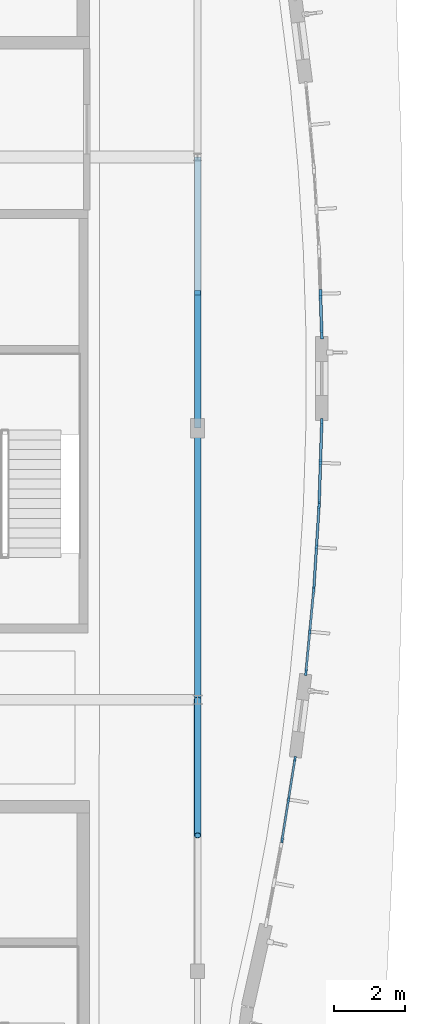
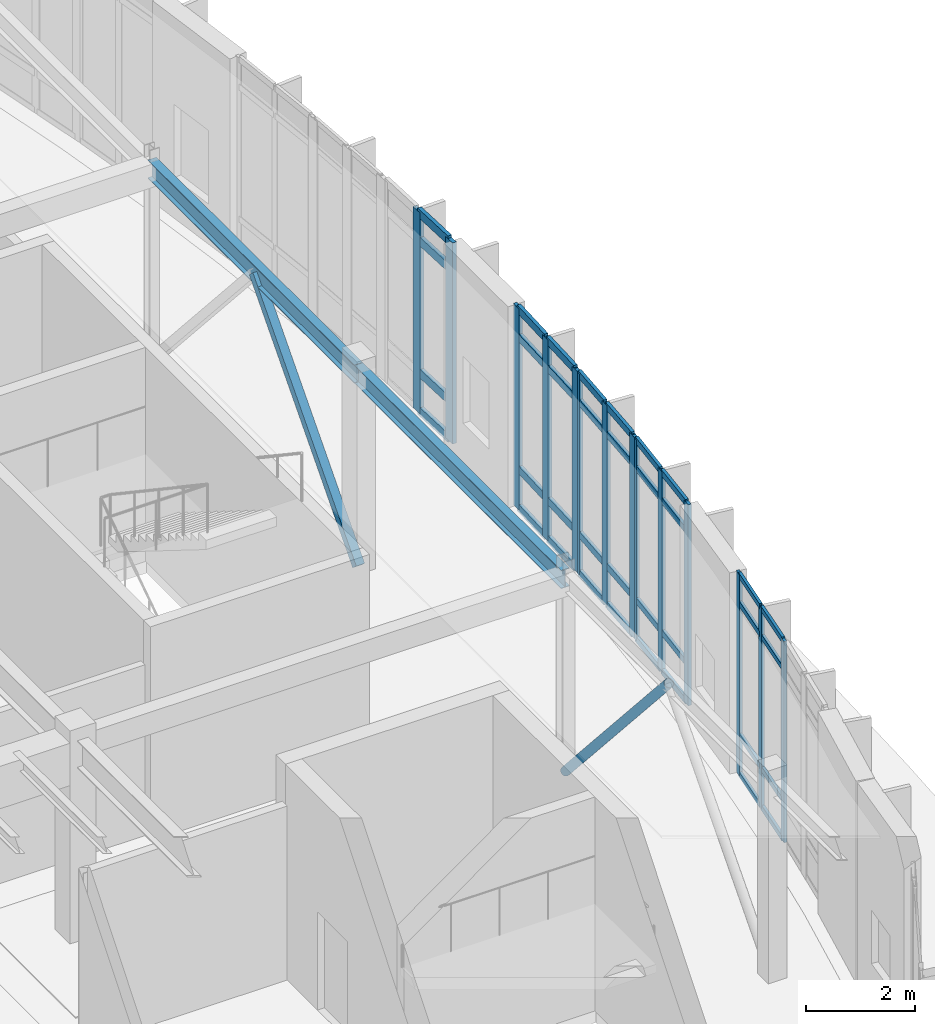
# One storey, part 60 of 120: 52 members, 2 beams, 5 elements without a shape of their own.
"""IFC4 building model written with IfcOpenShell, lengths in metres."""

from ifc_helpers import new_model, si_unit, direction, frame, origin, origin_2d, place, context, subcontext, project, spatial, rectangle, hollow_rectangle, hollow_circle, i_section, extrude, material, material_profile, profile_set, type_object, element, aggregate, save


model = new_model("IFC4")

# Units and contexts
model_context = context("Model", 3, precision=1e-05, world=origin(), true_north=direction((0.0, 1.0)))
body_context = subcontext(model_context, "Body", "Model", "MODEL_VIEW")
ifc_project = project(units=[si_unit("LENGTHUNIT", "METRE"), si_unit("AREAUNIT", "SQUARE_METRE"), si_unit("VOLUMEUNIT", "CUBIC_METRE"), si_unit("PLANEANGLEUNIT", "RADIAN"), si_unit("MASSUNIT", "GRAM", prefix="KILO")], contexts=[model_context])

# Site, building, storey
site_placement = place(None, origin())
site = spatial("IfcSite", under=ifc_project, at=site_placement, CompositionType="ELEMENT")
building_placement = place(site_placement, origin())
building = spatial("IfcBuilding", under=site, at=building_placement, Name="Corveleigh Park Community Centre", CompositionType="ELEMENT")
storey_placement = place(building_placement, origin())
storey = spatial("IfcBuildingStorey", under=building, at=storey_placement, Name="L00", CompositionType="ELEMENT", Elevation=0.0)

# Beams
ifc_material_1 = material(Name="Steel S355", Category="steel")
ifc_material_profile_1 = material_profile(ifc_material_1, i_section(OverallWidth=0.1787109375, OverallDepth=0.409423828125, WebThickness=0.0087890625, FlangeThickness=0.014404296875, at=origin_2d()), Name="UKB 406x178x67", Category="steel")
ifc_profile_set_1 = profile_set([ifc_material_profile_1], Name="Steel S355")
beam_type_1 = type_object("IfcBeamType", Name="BM-STL-UKB406x67", PredefinedType="BEAM", material=ifc_profile_set_1)
beam_1_placement = place(storey_placement, frame((168.39990234375, 73.804931640625, 4.322265625), z_axis=(0.0, 1.0, 0.0), x_axis=(-1.0, 0.0, 0.0)))
element("IfcBeam", 1, at=beam_1_placement, inside=storey, type_object=beam_type_1, Name="V4 Girder Y", PredefinedType="BEAM", context=body_context, shape_type="SweptSolid", body=[
    extrude(i_section(OverallWidth=0.1787109375, OverallDepth=0.409423828125, WebThickness=0.0087890625, FlangeThickness=0.014404296875, at=origin_2d()), origin(), (0.0, 0.0, 1.0), 7.590087890625),
])
ifc_material_profile_2 = material_profile(ifc_material_1, i_section(OverallWidth=0.179443359375, OverallDepth=0.412841796875, WebThickness=0.009521484375, FlangeThickness=0.01611328125, at=origin_2d()), Name="UKB 406x178x74", Category="steel")
ifc_profile_set_2 = profile_set([ifc_material_profile_2], Name="Steel S355")
beam_type_2 = type_object("IfcBeamType", Name="BM-STL-UKB406x74", PredefinedType="BEAM", material=ifc_profile_set_2)
beam_2_placement = place(storey_placement, frame((168.39990234375, 81.405029296875, 4.320556640625), z_axis=(0.0, 1.0, 0.0), x_axis=(-1.0, 0.0, 0.0)))
element("IfcBeam", 2, at=beam_2_placement, inside=storey, type_object=beam_type_2, Name="V4 Girder Y", PredefinedType="BEAM", context=body_context, shape_type="SweptSolid", body=[
    extrude(i_section(OverallWidth=0.179443359375, OverallDepth=0.412841796875, WebThickness=0.009521484375, FlangeThickness=0.01611328125, at=origin_2d()), origin(), (0.0, 0.0, 1.0), 7.590087890625),
])

# Curtain wall, members
ifc_material_2 = material(Name="Anodised aluminium 6063-T6", Category="aluminium")
curtain_wall_type = type_object("IfcCurtainWallType", Name="CW-SYS-V4-L00", PredefinedType="NOTDEFINED", material=ifc_material_2)
curtain_wall_1_placement = place(storey_placement, origin())
curtain_wall_1 = element("IfcCurtainWall", 3, at=curtain_wall_1_placement, inside=storey, type_object=curtain_wall_type, Name="V4 L00 Curtain Wall 121", PredefinedType="NOTDEFINED")
ifc_material_profile_3 = material_profile(ifc_material_2, rectangle(XDim=0.06005859375, YDim=0.159912109375, at=origin_2d()), Name="ALU-M60x160", Category="aluminium")
ifc_profile_set_3 = profile_set([ifc_material_profile_3], Name="Anodised aluminium 6063-T6")
member_type_1 = type_object("IfcMemberType", Name="CWM-60x160", PredefinedType="MULLION", material=ifc_profile_set_3)
member_1_placement = place(storey_placement, frame((171.127197265625, 72.138427734375, 0.0), z_axis=(0.0, 0.0, 1.0), x_axis=(0.987596806616, -0.157011297563, 0.0)))
member_1 = element("IfcMember", 4, at=member_1_placement, type_object=member_type_1, Name="CW07 mullion 1", PredefinedType="MULLION", context=body_context, shape_type="SweptSolid", body=[
    extrude(rectangle(XDim=0.06005859375, YDim=0.159912109375, at=origin_2d()), origin(), (0.0, 0.0, 1.0), 4.511962890625),
])
member_2_placement = place(storey_placement, frame((170.947509765625, 71.007568359375, 0.0), z_axis=(0.0, 0.0, 1.0), x_axis=(0.987596806616, -0.157011297563, 0.0)))
member_2 = element("IfcMember", 5, at=member_2_placement, type_object=member_type_1, Name="CW07 mullion 2", PredefinedType="MULLION", context=body_context, shape_type="SweptSolid", body=[
    extrude(rectangle(XDim=0.06005859375, YDim=0.159912109375, at=origin_2d()), origin(), (0.0, 0.0, 1.0), 4.511962890625),
])
member_3_placement = place(storey_placement, frame((170.767822265625, 69.876708984375, 0.0), z_axis=(0.0, 0.0, 1.0), x_axis=(0.987596806616, -0.157011297563, 0.0)))
member_3 = element("IfcMember", 6, at=member_3_placement, type_object=member_type_1, Name="CW07 mullion 3", PredefinedType="MULLION", context=body_context, shape_type="SweptSolid", body=[
    extrude(rectangle(XDim=0.06005859375, YDim=0.159912109375, at=origin_2d()), origin(), (0.0, 0.0, 1.0), 4.511962890625),
])

curtain_wall_2_placement = place(storey_placement, origin())
curtain_wall_2 = element("IfcCurtainWall", 7, at=curtain_wall_2_placement, inside=storey, type_object=curtain_wall_type, Name="V4 L00 Curtain Wall 122", PredefinedType="NOTDEFINED")
ifc_material_profile_4 = material_profile(ifc_material_2, rectangle(XDim=0.06494140625, YDim=0.179931640625, at=origin_2d()), Name="ALU-M65x180", Category="aluminium")
ifc_profile_set_4 = profile_set([ifc_material_profile_4], Name="Anodised aluminium 6063-T6")
member_type_2 = type_object("IfcMemberType", Name="CWM-65x180", PredefinedType="MULLION", material=ifc_profile_set_4)
member_4_placement = place(storey_placement, frame((171.64990234375, 76.84375, 0.0), z_axis=(0.0, 0.0, 1.0), x_axis=(0.995569739149, -0.094026030916, 0.0)))
member_4 = element("IfcMember", 8, at=member_4_placement, type_object=member_type_2, Name="CW07 mullion 1", PredefinedType="MULLION", context=body_context, shape_type="SweptSolid", body=[
    extrude(rectangle(XDim=0.06494140625, YDim=0.179931640625, at=origin_2d()), origin(), (0.0, 0.0, 1.0), 4.511962890625),
])
member_5_placement = place(storey_placement, frame((171.54248046875, 75.7060546875, 0.0), z_axis=(0.0, 0.0, 1.0), x_axis=(0.995569739149, -0.094026030916, 0.0)))
member_5 = element("IfcMember", 9, at=member_5_placement, type_object=member_type_2, Name="CW07 mullion 2", PredefinedType="MULLION", context=body_context, shape_type="SweptSolid", body=[
    extrude(rectangle(XDim=0.06494140625, YDim=0.179931640625, at=origin_2d()), origin(), (0.0, 0.0, 1.0), 4.511962890625),
])
member_6_placement = place(storey_placement, frame((171.43505859375, 74.568359375, 0.0), z_axis=(0.0, 0.0, 1.0), x_axis=(0.995569739149, -0.094026030916, 0.0)))
member_6 = element("IfcMember", 10, at=member_6_placement, type_object=member_type_2, Name="CW07 mullion 3", PredefinedType="MULLION", context=body_context, shape_type="SweptSolid", body=[
    extrude(rectangle(XDim=0.06494140625, YDim=0.179931640625, at=origin_2d()), origin(), (0.0, 0.0, 1.0), 4.511962890625),
])

curtain_wall_3_placement = place(storey_placement, origin())
curtain_wall_3 = element("IfcCurtainWall", 11, at=curtain_wall_3_placement, inside=storey, type_object=curtain_wall_type, Name="V4 L00 Curtain Wall 123", PredefinedType="NOTDEFINED")
ifc_material_profile_5 = material_profile(ifc_material_2, rectangle(XDim=0.070068359375, YDim=0.199951171875, at=origin_2d()), Name="ALU-M70x200", Category="aluminium")
ifc_profile_set_5 = profile_set([ifc_material_profile_5], Name="Anodised aluminium 6063-T6")
member_type_3 = type_object("IfcMemberType", Name="CWM-70x200", PredefinedType="MULLION", material=ifc_profile_set_5)
member_7_placement = place(storey_placement, frame((171.7998046875, 79.2041015625, 0.0), z_axis=(0.0, 0.0, 1.0), x_axis=(0.998040968926, -0.062563762233, 0.0)))
member_7 = element("IfcMember", 12, at=member_7_placement, type_object=member_type_3, Name="CW07 mullion 1", PredefinedType="MULLION", context=body_context, shape_type="SweptSolid", body=[
    extrude(rectangle(XDim=0.070068359375, YDim=0.199951171875, at=origin_2d()), origin(), (0.0, 0.0, 1.0), 4.511962890625),
])
member_8_placement = place(storey_placement, frame((171.728515625, 78.06640625, 0.0), z_axis=(0.0, 0.0, 1.0), x_axis=(0.998040968926, -0.062563762233, 0.0)))
member_8 = element("IfcMember", 13, at=member_8_placement, type_object=member_type_3, Name="CW07 mullion 2", PredefinedType="MULLION", context=body_context, shape_type="SweptSolid", body=[
    extrude(rectangle(XDim=0.070068359375, YDim=0.199951171875, at=origin_2d()), origin(), (0.0, 0.0, 1.0), 4.511962890625),
])
member_9_placement = place(storey_placement, frame((171.6572265625, 76.928955078125, 0.0), z_axis=(0.0, 0.0, 1.0), x_axis=(0.998040968926, -0.062563762233, 0.0)))
member_9 = element("IfcMember", 14, at=member_9_placement, type_object=member_type_3, Name="CW07 mullion 3", PredefinedType="MULLION", context=body_context, shape_type="SweptSolid", body=[
    extrude(rectangle(XDim=0.070068359375, YDim=0.199951171875, at=origin_2d()), origin(), (0.0, 0.0, 1.0), 4.511962890625),
])

curtain_wall_4_placement = place(storey_placement, origin())
curtain_wall_4 = element("IfcCurtainWall", 15, at=curtain_wall_4_placement, inside=storey, type_object=curtain_wall_type, Name="V4 L00 Curtain Wall 124", PredefinedType="NOTDEFINED")
ifc_material_profile_6 = material_profile(ifc_material_2, rectangle(XDim=0.074951171875, YDim=0.219970703125, at=origin_2d()), Name="ALU-M75x220", Category="aluminium")
ifc_profile_set_6 = profile_set([ifc_material_profile_6], Name="Anodised aluminium 6063-T6")
member_type_4 = type_object("IfcMemberType", Name="CWM-75x220", PredefinedType="MULLION", material=ifc_profile_set_6)
member_10_placement = place(storey_placement, frame((171.876708984375, 81.569580078125, 0.0), z_axis=(0.0, 0.0, 1.0), x_axis=(0.999491108502, -0.031898652394, 0.0)))
member_10 = element("IfcMember", 16, at=member_10_placement, type_object=member_type_4, Name="CW07 mullion 1", PredefinedType="MULLION", context=body_context, shape_type="SweptSolid", body=[
    extrude(rectangle(XDim=0.074951171875, YDim=0.219970703125, at=origin_2d()), origin(), (0.0, 0.0, 1.0), 4.511962890625),
])
member_11_placement = place(storey_placement, frame((171.840576171875, 80.431884765625, 0.0), z_axis=(0.0, 0.0, 1.0), x_axis=(0.999491108502, -0.031898652394, 0.0)))
member_11 = element("IfcMember", 17, at=member_11_placement, type_object=member_type_4, Name="CW07 mullion 2", PredefinedType="MULLION", context=body_context, shape_type="SweptSolid", body=[
    extrude(rectangle(XDim=0.074951171875, YDim=0.219970703125, at=origin_2d()), origin(), (0.0, 0.0, 1.0), 4.511962890625),
])
member_12_placement = place(storey_placement, frame((171.80419921875, 79.29443359375, 0.0), z_axis=(0.0, 0.0, 1.0), x_axis=(0.999491108502, -0.031898652394, 0.0)))
member_12 = element("IfcMember", 18, at=member_12_placement, type_object=member_type_4, Name="CW07 mullion 3", PredefinedType="MULLION", context=body_context, shape_type="SweptSolid", body=[
    extrude(rectangle(XDim=0.074951171875, YDim=0.219970703125, at=origin_2d()), origin(), (0.0, 0.0, 1.0), 4.511962890625),
])

curtain_wall_5_placement = place(storey_placement, origin())
curtain_wall_5 = element("IfcCurtainWall", 19, at=curtain_wall_5_placement, inside=storey, type_object=curtain_wall_type, Name="V4 L00 Curtain Wall 125", PredefinedType="NOTDEFINED")
ifc_material_profile_7 = material_profile(ifc_material_2, rectangle(XDim=0.080078125, YDim=0.25, at=origin_2d()), Name="ALU-M80x250", Category="aluminium")
ifc_profile_set_7 = profile_set([ifc_material_profile_7], Name="Anodised aluminium 6063-T6")
member_type_5 = type_object("IfcMemberType", Name="CWM-80x250", PredefinedType="MULLION", material=ifc_profile_set_7)
member_13_placement = place(storey_placement, frame((171.840576171875, 85.16796875, 0.0), z_axis=(0.0, 0.0, 1.0), x_axis=(0.999491108502, 0.031898652394, 0.0)))
member_13 = element("IfcMember", 20, at=member_13_placement, type_object=member_type_5, Name="CW07 mullion 2", PredefinedType="MULLION", context=body_context, shape_type="SweptSolid", body=[
    extrude(rectangle(XDim=0.080078125, YDim=0.25, at=origin_2d()), origin(), (0.0, 0.0, 1.0), 4.511962890625),
])
member_14_placement = place(storey_placement, frame((171.876708984375, 84.032958984375, 0.0), z_axis=(0.0, 0.0, 1.0), x_axis=(0.999491108502, 0.031898652394, 0.0)))
member_14 = element("IfcMember", 21, at=member_14_placement, type_object=member_type_5, Name="CW07 mullion 3", PredefinedType="MULLION", context=body_context, shape_type="SweptSolid", body=[
    extrude(rectangle(XDim=0.080078125, YDim=0.25, at=origin_2d()), origin(), (0.0, 0.0, 1.0), 4.511962890625),
])

# Member
ifc_material_profile_8 = material_profile(ifc_material_2, rectangle(XDim=0.06005859375, YDim=0.1201171875, at=origin_2d()), Name="ALU-T60x120", Category="aluminium")
ifc_profile_set_8 = profile_set([ifc_material_profile_8], Name="Anodised aluminium 6063-T6")
member_type_6 = type_object("IfcMemberType", Name="CWT-60x120", PredefinedType="USERDEFINED", material=ifc_profile_set_8)
member_15_placement = place(storey_placement, frame((171.12255859375, 72.108642578125, 0.030029296875), z_axis=(-0.157060183474, -0.987589033337, 0.0), x_axis=(0.987589033337, -0.157060183474, 0.0)))
member_15 = element("IfcMember", 22, at=member_15_placement, type_object=member_type_6, Name="CW07 transom 1.1", ObjectType="TRANSOM", PredefinedType="USERDEFINED", context=body_context, shape_type="SweptSolid", body=[
    extrude(rectangle(XDim=0.06005859375, YDim=0.1201171875, at=origin_2d()), origin(), (0.0, 0.0, 1.0), 1.0849609375),
])

member_16_placement = place(storey_placement, frame((171.12255859375, 72.108642578125, 0.89990234375), z_axis=(-0.157060183474, -0.987589033337, 0.0), x_axis=(0.987589033337, -0.157060183474, 0.0)))
member_16 = element("IfcMember", 23, at=member_16_placement, type_object=member_type_6, Name="CW07 transom 1.2", ObjectType="TRANSOM", PredefinedType="USERDEFINED", context=body_context, shape_type="SweptSolid", body=[
    extrude(rectangle(XDim=0.06005859375, YDim=0.1201171875, at=origin_2d()), origin(), (0.0, 0.0, 1.0), 1.0849609375),
])

member_17_placement = place(storey_placement, frame((171.12255859375, 72.108642578125, 3.862060546875), z_axis=(-0.157060183474, -0.987589033337, 0.0), x_axis=(0.987589033337, -0.157060183474, 0.0)))
member_17 = element("IfcMember", 24, at=member_17_placement, type_object=member_type_6, Name="CW07 transom 1.3", ObjectType="TRANSOM", PredefinedType="USERDEFINED", context=body_context, shape_type="SweptSolid", body=[
    extrude(rectangle(XDim=0.06005859375, YDim=0.1201171875, at=origin_2d()), origin(), (0.0, 0.0, 1.0), 1.0849609375),
])

member_18_placement = place(storey_placement, frame((171.12255859375, 72.108642578125, 4.48193359375), z_axis=(-0.157060183474, -0.987589033337, 0.0), x_axis=(0.987589033337, -0.157060183474, 0.0)))
member_18 = element("IfcMember", 25, at=member_18_placement, type_object=member_type_6, Name="CW07 transom 1.4", ObjectType="TRANSOM", PredefinedType="USERDEFINED", context=body_context, shape_type="SweptSolid", body=[
    extrude(rectangle(XDim=0.06005859375, YDim=0.1201171875, at=origin_2d()), origin(), (0.0, 0.0, 1.0), 1.0849609375),
])

member_19_placement = place(storey_placement, frame((170.94287109375, 70.977783203125, 0.030029296875), z_axis=(-0.157060183474, -0.987589033337, 0.0), x_axis=(0.987589033337, -0.157060183474, 0.0)))
member_19 = element("IfcMember", 26, at=member_19_placement, type_object=member_type_6, Name="CW07 transom 2.1", ObjectType="TRANSOM", PredefinedType="USERDEFINED", context=body_context, shape_type="SweptSolid", body=[
    extrude(rectangle(XDim=0.06005859375, YDim=0.1201171875, at=origin_2d()), origin(), (0.0, 0.0, 1.0), 1.0849609375),
])

member_20_placement = place(storey_placement, frame((170.94287109375, 70.977783203125, 0.89990234375), z_axis=(-0.157060183474, -0.987589033337, 0.0), x_axis=(0.987589033337, -0.157060183474, 0.0)))
member_20 = element("IfcMember", 27, at=member_20_placement, type_object=member_type_6, Name="CW07 transom 2.2", ObjectType="TRANSOM", PredefinedType="USERDEFINED", context=body_context, shape_type="SweptSolid", body=[
    extrude(rectangle(XDim=0.06005859375, YDim=0.1201171875, at=origin_2d()), origin(), (0.0, 0.0, 1.0), 1.0849609375),
])

member_21_placement = place(storey_placement, frame((170.94287109375, 70.977783203125, 3.862060546875), z_axis=(-0.157060183474, -0.987589033337, 0.0), x_axis=(0.987589033337, -0.157060183474, 0.0)))
member_21 = element("IfcMember", 28, at=member_21_placement, type_object=member_type_6, Name="CW07 transom 2.3", ObjectType="TRANSOM", PredefinedType="USERDEFINED", context=body_context, shape_type="SweptSolid", body=[
    extrude(rectangle(XDim=0.06005859375, YDim=0.1201171875, at=origin_2d()), origin(), (0.0, 0.0, 1.0), 1.0849609375),
])

member_22_placement = place(storey_placement, frame((170.94287109375, 70.977783203125, 4.48193359375), z_axis=(-0.157060183474, -0.987589033337, 0.0), x_axis=(0.987589033337, -0.157060183474, 0.0)))
member_22 = element("IfcMember", 29, at=member_22_placement, type_object=member_type_6, Name="CW07 transom 2.4", ObjectType="TRANSOM", PredefinedType="USERDEFINED", context=body_context, shape_type="SweptSolid", body=[
    extrude(rectangle(XDim=0.06005859375, YDim=0.1201171875, at=origin_2d()), origin(), (0.0, 0.0, 1.0), 1.0849609375),
])

aggregate(curtain_wall_1, [member_1, member_2, member_3, member_15, member_16, member_17, member_18, member_19, member_20, member_21, member_22])

ifc_material_profile_9 = material_profile(ifc_material_2, rectangle(XDim=0.06494140625, YDim=0.139892578125, at=origin_2d()), Name="ALU-T65x140", Category="aluminium")
ifc_profile_set_9 = profile_set([ifc_material_profile_9], Name="Anodised aluminium 6063-T6")
member_type_7 = type_object("IfcMemberType", Name="CWT-65x140", PredefinedType="USERDEFINED", material=ifc_profile_set_9)
member_23_placement = place(storey_placement, frame((171.64697265625, 76.811279296875, 0.032470703125), z_axis=(-0.09400732082, -0.995571506037, 0.0), x_axis=(0.995571506037, -0.09400732082, 0.0)))
member_23 = element("IfcMember", 30, at=member_23_placement, type_object=member_type_7, Name="CW07 transom 1.1", ObjectType="TRANSOM", PredefinedType="USERDEFINED", context=body_context, shape_type="SweptSolid", body=[
    extrude(rectangle(XDim=0.06494140625, YDim=0.139892578125, at=origin_2d()), origin(), (0.0, 0.0, 1.0), 1.077880859375),
])

member_24_placement = place(storey_placement, frame((171.64697265625, 76.811279296875, 0.89990234375), z_axis=(-0.09400732082, -0.995571506037, 0.0), x_axis=(0.995571506037, -0.09400732082, 0.0)))
member_24 = element("IfcMember", 31, at=member_24_placement, type_object=member_type_7, Name="CW07 transom 1.2", ObjectType="TRANSOM", PredefinedType="USERDEFINED", context=body_context, shape_type="SweptSolid", body=[
    extrude(rectangle(XDim=0.06494140625, YDim=0.139892578125, at=origin_2d()), origin(), (0.0, 0.0, 1.0), 1.077880859375),
])

member_25_placement = place(storey_placement, frame((171.64697265625, 76.811279296875, 3.862060546875), z_axis=(-0.09400732082, -0.995571506037, 0.0), x_axis=(0.995571506037, -0.09400732082, 0.0)))
member_25 = element("IfcMember", 32, at=member_25_placement, type_object=member_type_7, Name="CW07 transom 1.3", ObjectType="TRANSOM", PredefinedType="USERDEFINED", context=body_context, shape_type="SweptSolid", body=[
    extrude(rectangle(XDim=0.06494140625, YDim=0.139892578125, at=origin_2d()), origin(), (0.0, 0.0, 1.0), 1.077880859375),
])

member_26_placement = place(storey_placement, frame((171.64697265625, 76.811279296875, 4.4794921875), z_axis=(-0.09400732082, -0.995571506037, 0.0), x_axis=(0.995571506037, -0.09400732082, 0.0)))
member_26 = element("IfcMember", 33, at=member_26_placement, type_object=member_type_7, Name="CW07 transom 1.4", ObjectType="TRANSOM", PredefinedType="USERDEFINED", context=body_context, shape_type="SweptSolid", body=[
    extrude(rectangle(XDim=0.06494140625, YDim=0.139892578125, at=origin_2d()), origin(), (0.0, 0.0, 1.0), 1.077880859375),
])

member_27_placement = place(storey_placement, frame((171.53955078125, 75.673583984375, 0.032470703125), z_axis=(-0.09402852616, -0.995569503484, 0.0), x_axis=(0.995569503484, -0.09402852616, 0.0)))
member_27 = element("IfcMember", 34, at=member_27_placement, type_object=member_type_7, Name="CW07 transom 2.1", ObjectType="TRANSOM", PredefinedType="USERDEFINED", context=body_context, shape_type="SweptSolid", body=[
    extrude(rectangle(XDim=0.06494140625, YDim=0.139892578125, at=origin_2d()), origin(), (0.0, 0.0, 1.0), 1.07763671875),
])

member_28_placement = place(storey_placement, frame((171.53955078125, 75.673583984375, 0.89990234375), z_axis=(-0.09402852616, -0.995569503484, 0.0), x_axis=(0.995569503484, -0.09402852616, 0.0)))
member_28 = element("IfcMember", 35, at=member_28_placement, type_object=member_type_7, Name="CW07 transom 2.2", ObjectType="TRANSOM", PredefinedType="USERDEFINED", context=body_context, shape_type="SweptSolid", body=[
    extrude(rectangle(XDim=0.06494140625, YDim=0.139892578125, at=origin_2d()), origin(), (0.0, 0.0, 1.0), 1.07763671875),
])

member_29_placement = place(storey_placement, frame((171.53955078125, 75.673583984375, 3.862060546875), z_axis=(-0.09402852616, -0.995569503484, 0.0), x_axis=(0.995569503484, -0.09402852616, 0.0)))
member_29 = element("IfcMember", 36, at=member_29_placement, type_object=member_type_7, Name="CW07 transom 2.3", ObjectType="TRANSOM", PredefinedType="USERDEFINED", context=body_context, shape_type="SweptSolid", body=[
    extrude(rectangle(XDim=0.06494140625, YDim=0.139892578125, at=origin_2d()), origin(), (0.0, 0.0, 1.0), 1.07763671875),
])

member_30_placement = place(storey_placement, frame((171.53955078125, 75.673583984375, 4.4794921875), z_axis=(-0.09402852616, -0.995569503484, 0.0), x_axis=(0.995569503484, -0.09402852616, 0.0)))
member_30 = element("IfcMember", 37, at=member_30_placement, type_object=member_type_7, Name="CW07 transom 2.4", ObjectType="TRANSOM", PredefinedType="USERDEFINED", context=body_context, shape_type="SweptSolid", body=[
    extrude(rectangle(XDim=0.06494140625, YDim=0.139892578125, at=origin_2d()), origin(), (0.0, 0.0, 1.0), 1.07763671875),
])

aggregate(curtain_wall_2, [member_4, member_5, member_6, member_23, member_24, member_25, member_26, member_27, member_28, member_29, member_30])

ifc_material_profile_10 = material_profile(ifc_material_2, rectangle(XDim=0.070068359375, YDim=0.155029296875, at=origin_2d()), Name="ALU-T70x155", Category="aluminium")
ifc_profile_set_10 = profile_set([ifc_material_profile_10], Name="Anodised aluminium 6063-T6")
member_type_8 = type_object("IfcMemberType", Name="CWT-70x155", PredefinedType="USERDEFINED", material=ifc_profile_set_10)
member_31_placement = place(storey_placement, frame((171.797607421875, 79.169189453125, 0.034912109375), z_axis=(-0.062520340886, -0.998043689913, 0.0), x_axis=(0.998043689913, -0.062520340886, 0.0)))
member_31 = element("IfcMember", 38, at=member_31_placement, type_object=member_type_8, Name="CW07 transom 1.1", ObjectType="TRANSOM", PredefinedType="USERDEFINED", context=body_context, shape_type="SweptSolid", body=[
    extrude(rectangle(XDim=0.070068359375, YDim=0.155029296875, at=origin_2d()), origin(), (0.0, 0.0, 1.0), 1.070068359375),
])

member_32_placement = place(storey_placement, frame((171.797607421875, 79.169189453125, 0.89990234375), z_axis=(-0.062520340886, -0.998043689913, 0.0), x_axis=(0.998043689913, -0.062520340886, 0.0)))
member_32 = element("IfcMember", 39, at=member_32_placement, type_object=member_type_8, Name="CW07 transom 1.2", ObjectType="TRANSOM", PredefinedType="USERDEFINED", context=body_context, shape_type="SweptSolid", body=[
    extrude(rectangle(XDim=0.070068359375, YDim=0.155029296875, at=origin_2d()), origin(), (0.0, 0.0, 1.0), 1.070068359375),
])

member_33_placement = place(storey_placement, frame((171.797607421875, 79.169189453125, 3.862060546875), z_axis=(-0.062520340886, -0.998043689913, 0.0), x_axis=(0.998043689913, -0.062520340886, 0.0)))
member_33 = element("IfcMember", 40, at=member_33_placement, type_object=member_type_8, Name="CW07 transom 1.3", ObjectType="TRANSOM", PredefinedType="USERDEFINED", context=body_context, shape_type="SweptSolid", body=[
    extrude(rectangle(XDim=0.070068359375, YDim=0.155029296875, at=origin_2d()), origin(), (0.0, 0.0, 1.0), 1.070068359375),
])

member_34_placement = place(storey_placement, frame((171.797607421875, 79.169189453125, 4.47705078125), z_axis=(-0.062520340886, -0.998043689913, 0.0), x_axis=(0.998043689913, -0.062520340886, 0.0)))
member_34 = element("IfcMember", 41, at=member_34_placement, type_object=member_type_8, Name="CW07 transom 1.4", ObjectType="TRANSOM", PredefinedType="USERDEFINED", context=body_context, shape_type="SweptSolid", body=[
    extrude(rectangle(XDim=0.070068359375, YDim=0.155029296875, at=origin_2d()), origin(), (0.0, 0.0, 1.0), 1.070068359375),
])

member_35_placement = place(storey_placement, frame((171.726318359375, 78.031494140625, 0.034912109375), z_axis=(-0.062534581883, -0.998042797714, 0.0), x_axis=(0.998042797714, -0.062534581883, 0.0)))
member_35 = element("IfcMember", 42, at=member_35_placement, type_object=member_type_8, Name="CW07 transom 2.1", ObjectType="TRANSOM", PredefinedType="USERDEFINED", context=body_context, shape_type="SweptSolid", body=[
    extrude(rectangle(XDim=0.070068359375, YDim=0.155029296875, at=origin_2d()), origin(), (0.0, 0.0, 1.0), 1.06982421875),
])

member_36_placement = place(storey_placement, frame((171.726318359375, 78.031494140625, 0.89990234375), z_axis=(-0.062534581883, -0.998042797714, 0.0), x_axis=(0.998042797714, -0.062534581883, 0.0)))
member_36 = element("IfcMember", 43, at=member_36_placement, type_object=member_type_8, Name="CW07 transom 2.2", ObjectType="TRANSOM", PredefinedType="USERDEFINED", context=body_context, shape_type="SweptSolid", body=[
    extrude(rectangle(XDim=0.070068359375, YDim=0.155029296875, at=origin_2d()), origin(), (0.0, 0.0, 1.0), 1.06982421875),
])

member_37_placement = place(storey_placement, frame((171.726318359375, 78.031494140625, 3.862060546875), z_axis=(-0.062534581883, -0.998042797714, 0.0), x_axis=(0.998042797714, -0.062534581883, 0.0)))
member_37 = element("IfcMember", 44, at=member_37_placement, type_object=member_type_8, Name="CW07 transom 2.3", ObjectType="TRANSOM", PredefinedType="USERDEFINED", context=body_context, shape_type="SweptSolid", body=[
    extrude(rectangle(XDim=0.070068359375, YDim=0.155029296875, at=origin_2d()), origin(), (0.0, 0.0, 1.0), 1.06982421875),
])

member_38_placement = place(storey_placement, frame((171.726318359375, 78.031494140625, 4.47705078125), z_axis=(-0.062534581883, -0.998042797714, 0.0), x_axis=(0.998042797714, -0.062534581883, 0.0)))
member_38 = element("IfcMember", 45, at=member_38_placement, type_object=member_type_8, Name="CW07 transom 2.4", ObjectType="TRANSOM", PredefinedType="USERDEFINED", context=body_context, shape_type="SweptSolid", body=[
    extrude(rectangle(XDim=0.070068359375, YDim=0.155029296875, at=origin_2d()), origin(), (0.0, 0.0, 1.0), 1.06982421875),
])

aggregate(curtain_wall_3, [member_7, member_8, member_9, member_31, member_32, member_33, member_34, member_35, member_36, member_37, member_38])

ifc_material_profile_11 = material_profile(ifc_material_2, rectangle(XDim=0.074951171875, YDim=0.175048828125, at=origin_2d()), Name="ALU-T75x175", Category="aluminium")
ifc_profile_set_11 = profile_set([ifc_material_profile_11], Name="Anodised aluminium 6063-T6")
member_type_9 = type_object("IfcMemberType", Name="CWT-75x175", PredefinedType="USERDEFINED", material=ifc_profile_set_11)
member_39_placement = place(storey_placement, frame((171.87548828125, 81.531982421875, 0.03759765625), z_axis=(-0.031693628916, -0.999497630756, 0.0), x_axis=(0.999497630756, -0.031693628916, 0.0)))
member_39 = element("IfcMember", 46, at=member_39_placement, type_object=member_type_9, Name="CW07 transom 1.1", ObjectType="TRANSOM", PredefinedType="USERDEFINED", context=body_context, shape_type="SweptSolid", body=[
    extrude(rectangle(XDim=0.074951171875, YDim=0.175048828125, at=origin_2d()), origin(), (0.0, 0.0, 1.0), 1.06298828125),
])

member_40_placement = place(storey_placement, frame((171.87548828125, 81.531982421875, 0.89990234375), z_axis=(-0.031693628916, -0.999497630756, 0.0), x_axis=(0.999497630756, -0.031693628916, 0.0)))
member_40 = element("IfcMember", 47, at=member_40_placement, type_object=member_type_9, Name="CW07 transom 1.2", ObjectType="TRANSOM", PredefinedType="USERDEFINED", context=body_context, shape_type="SweptSolid", body=[
    extrude(rectangle(XDim=0.074951171875, YDim=0.175048828125, at=origin_2d()), origin(), (0.0, 0.0, 1.0), 1.06298828125),
])

member_41_placement = place(storey_placement, frame((171.87548828125, 81.531982421875, 3.862060546875), z_axis=(-0.031693628916, -0.999497630756, 0.0), x_axis=(0.999497630756, -0.031693628916, 0.0)))
member_41 = element("IfcMember", 48, at=member_41_placement, type_object=member_type_9, Name="CW07 transom 1.3", ObjectType="TRANSOM", PredefinedType="USERDEFINED", context=body_context, shape_type="SweptSolid", body=[
    extrude(rectangle(XDim=0.074951171875, YDim=0.175048828125, at=origin_2d()), origin(), (0.0, 0.0, 1.0), 1.06298828125),
])

member_42_placement = place(storey_placement, frame((171.87548828125, 81.531982421875, 4.474609375), z_axis=(-0.031693628916, -0.999497630756, 0.0), x_axis=(0.999497630756, -0.031693628916, 0.0)))
member_42 = element("IfcMember", 49, at=member_42_placement, type_object=member_type_9, Name="CW07 transom 1.4", ObjectType="TRANSOM", PredefinedType="USERDEFINED", context=body_context, shape_type="SweptSolid", body=[
    extrude(rectangle(XDim=0.074951171875, YDim=0.175048828125, at=origin_2d()), origin(), (0.0, 0.0, 1.0), 1.06298828125),
])

member_43_placement = place(storey_placement, frame((171.83935546875, 80.39453125, 0.03759765625), z_axis=(-0.031923059689, -0.999490329248, 0.0), x_axis=(0.999490329248, -0.031923059689, 0.0)))
member_43 = element("IfcMember", 50, at=member_43_placement, type_object=member_type_9, Name="CW07 transom 2.1", ObjectType="TRANSOM", PredefinedType="USERDEFINED", context=body_context, shape_type="SweptSolid", body=[
    extrude(rectangle(XDim=0.074951171875, YDim=0.175048828125, at=origin_2d()), origin(), (0.0, 0.0, 1.0), 1.06298828125),
])

member_44_placement = place(storey_placement, frame((171.83935546875, 80.39453125, 0.89990234375), z_axis=(-0.031923059689, -0.999490329248, 0.0), x_axis=(0.999490329248, -0.031923059689, 0.0)))
member_44 = element("IfcMember", 51, at=member_44_placement, type_object=member_type_9, Name="CW07 transom 2.2", ObjectType="TRANSOM", PredefinedType="USERDEFINED", context=body_context, shape_type="SweptSolid", body=[
    extrude(rectangle(XDim=0.074951171875, YDim=0.175048828125, at=origin_2d()), origin(), (0.0, 0.0, 1.0), 1.06298828125),
])

member_45_placement = place(storey_placement, frame((171.83935546875, 80.39453125, 3.862060546875), z_axis=(-0.031923059689, -0.999490329248, 0.0), x_axis=(0.999490329248, -0.031923059689, 0.0)))
member_45 = element("IfcMember", 52, at=member_45_placement, type_object=member_type_9, Name="CW07 transom 2.3", ObjectType="TRANSOM", PredefinedType="USERDEFINED", context=body_context, shape_type="SweptSolid", body=[
    extrude(rectangle(XDim=0.074951171875, YDim=0.175048828125, at=origin_2d()), origin(), (0.0, 0.0, 1.0), 1.06298828125),
])

member_46_placement = place(storey_placement, frame((171.83935546875, 80.39453125, 4.474609375), z_axis=(-0.031923059689, -0.999490329248, 0.0), x_axis=(0.999490329248, -0.031923059689, 0.0)))
member_46 = element("IfcMember", 53, at=member_46_placement, type_object=member_type_9, Name="CW07 transom 2.4", ObjectType="TRANSOM", PredefinedType="USERDEFINED", context=body_context, shape_type="SweptSolid", body=[
    extrude(rectangle(XDim=0.074951171875, YDim=0.175048828125, at=origin_2d()), origin(), (0.0, 0.0, 1.0), 1.06298828125),
])

aggregate(curtain_wall_4, [member_10, member_11, member_12, member_39, member_40, member_41, member_42, member_43, member_44, member_45, member_46])

ifc_material_profile_12 = material_profile(ifc_material_2, rectangle(XDim=0.080078125, YDim=0.195068359375, at=origin_2d()), Name="ALU-T80x195", Category="aluminium")
ifc_profile_set_12 = profile_set([ifc_material_profile_12], Name="Anodised aluminium 6063-T6")
member_type_10 = type_object("IfcMemberType", Name="CWT-80x195", PredefinedType="USERDEFINED", material=ifc_profile_set_12)
member_47_placement = place(storey_placement, frame((171.841796875, 85.1279296875, 0.0400390625), z_axis=(0.031920776556, -0.999490402167, 0.0), x_axis=(0.999490402167, 0.031920776556, 0.0)))
member_47 = element("IfcMember", 54, at=member_47_placement, type_object=member_type_10, Name="CW07 transom 2.1", ObjectType="TRANSOM", PredefinedType="USERDEFINED", context=body_context, shape_type="SweptSolid", body=[
    extrude(rectangle(XDim=0.080078125, YDim=0.195068359375, at=origin_2d()), origin(), (0.0, 0.0, 1.0), 1.055419921875),
])

member_48_placement = place(storey_placement, frame((171.841796875, 85.1279296875, 0.89990234375), z_axis=(0.031920776556, -0.999490402167, 0.0), x_axis=(0.999490402167, 0.031920776556, 0.0)))
member_48 = element("IfcMember", 55, at=member_48_placement, type_object=member_type_10, Name="CW07 transom 2.2", ObjectType="TRANSOM", PredefinedType="USERDEFINED", context=body_context, shape_type="SweptSolid", body=[
    extrude(rectangle(XDim=0.080078125, YDim=0.195068359375, at=origin_2d()), origin(), (0.0, 0.0, 1.0), 1.055419921875),
])

member_49_placement = place(storey_placement, frame((171.841796875, 85.1279296875, 3.862060546875), z_axis=(0.031920776556, -0.999490402167, 0.0), x_axis=(0.999490402167, 0.031920776556, 0.0)))
member_49 = element("IfcMember", 56, at=member_49_placement, type_object=member_type_10, Name="CW07 transom 2.3", ObjectType="TRANSOM", PredefinedType="USERDEFINED", context=body_context, shape_type="SweptSolid", body=[
    extrude(rectangle(XDim=0.080078125, YDim=0.195068359375, at=origin_2d()), origin(), (0.0, 0.0, 1.0), 1.055419921875),
])

member_50_placement = place(storey_placement, frame((171.841796875, 85.1279296875, 4.471923828125), z_axis=(0.031920776556, -0.999490402167, 0.0), x_axis=(0.999490402167, 0.031920776556, 0.0)))
member_50 = element("IfcMember", 57, at=member_50_placement, type_object=member_type_10, Name="CW07 transom 2.4", ObjectType="TRANSOM", PredefinedType="USERDEFINED", context=body_context, shape_type="SweptSolid", body=[
    extrude(rectangle(XDim=0.080078125, YDim=0.195068359375, at=origin_2d()), origin(), (0.0, 0.0, 1.0), 1.055419921875),
])

aggregate(curtain_wall_5, [member_13, member_14, member_47, member_48, member_49, member_50])

# Members
ifc_material_profile_13 = material_profile(ifc_material_1, hollow_circle(Radius=0.096923828125, WallThickness=0.010009765625, at=origin_2d()), Name="CHS 193.7x10.0", Category="steel")
ifc_profile_set_13 = profile_set([ifc_material_profile_13], Name="Steel S355")
member_type_11 = type_object("IfcMemberType", Name="MEM-BRC-CHS194", PredefinedType="BRACE", material=ifc_profile_set_13)
member_51_placement = place(storey_placement, frame((168.39990234375, 73.800048828125, 0.0), z_axis=(0.0, -0.664186364328, 0.747567036085), x_axis=(1.0, 0.0, 0.0)))
element("IfcMember", 58, at=member_51_placement, inside=storey, type_object=member_type_11, Name="Spine chevron brace", PredefinedType="BRACE", context=body_context, shape_type="SweptSolid", body=[
    extrude(hollow_circle(Radius=0.096923828125, WallThickness=0.010009765625, at=origin_2d()), origin(), (0.0, 0.0, 1.0), 5.721435546875),
])
ifc_material_profile_14 = material_profile(ifc_material_1, hollow_rectangle(XDim=0.179931640625, YDim=0.179931640625, WallThickness=0.010009765625, at=origin_2d()), Name="SHS 180x180x10.0", Category="steel")
ifc_profile_set_14 = profile_set([ifc_material_profile_14], Name="Steel S355")
member_type_12 = type_object("IfcMemberType", Name="MEM-BRC-SHS180", PredefinedType="BRACE", material=ifc_profile_set_14)
member_52_placement = place(storey_placement, frame((168.39990234375, 81.39990234375, 0.0), z_axis=(0.0, 0.664186364328, 0.747567036085), x_axis=(-1.0, 0.0, 0.0)))
element("IfcMember", 59, at=member_52_placement, inside=storey, type_object=member_type_12, Name="Spine chevron brace", PredefinedType="BRACE", context=body_context, shape_type="SweptSolid", body=[
    extrude(hollow_rectangle(XDim=0.179931640625, YDim=0.179931640625, WallThickness=0.010009765625, at=origin_2d()), origin(), (0.0, 0.0, 1.0), 5.721435546875),
])

save(model, "model.ifc")
